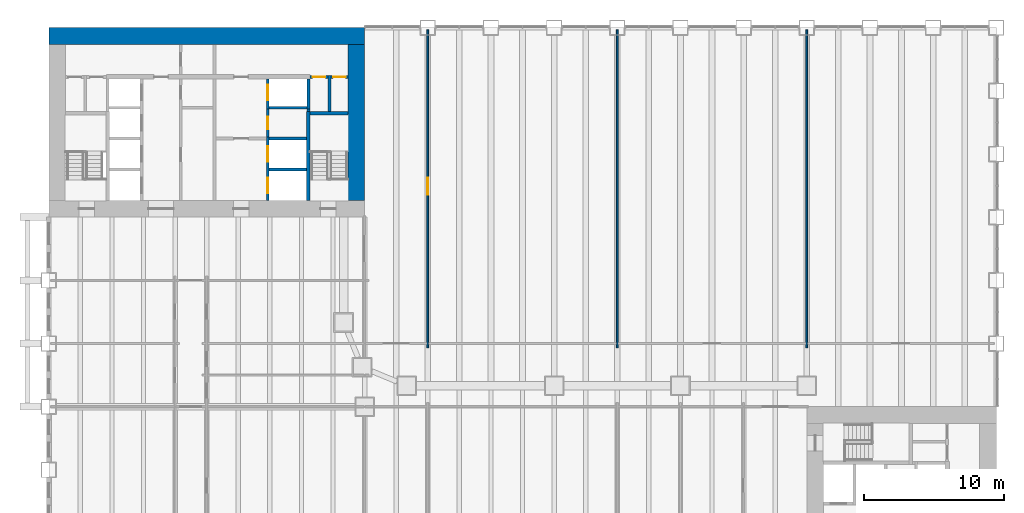
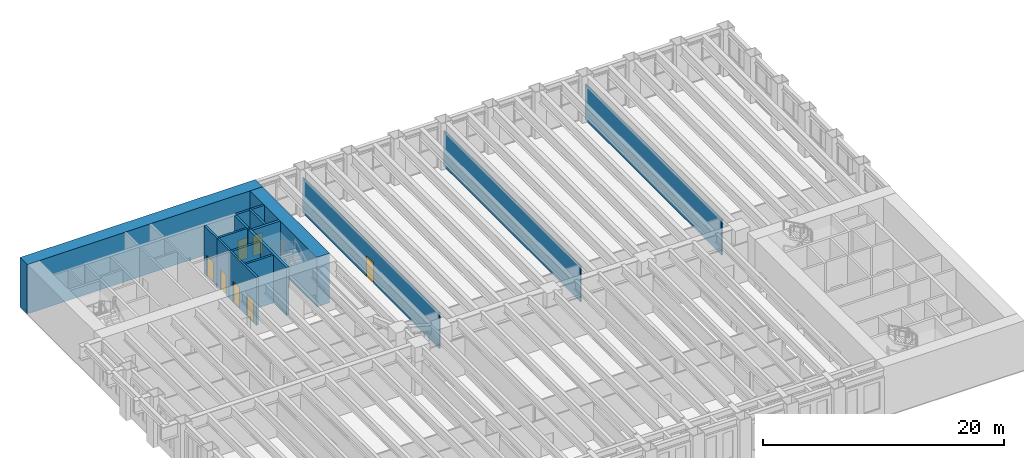
# One storey, part 16 of 21: 18 walls, 7 doors, 7 openings.
"""IFC4 building model written with IfcOpenShell, lengths in metres."""

import ifcopenshell
import ifcopenshell.guid

model = None  # the IFC model being written
_history = None  # IfcOwnerHistory: only IFC2X3 demands one
_inside = {}  # id of a spatial element -> (the spatial element, [elements in it])
_under = {}  # id of a project, library or spatial element -> (it, [spatial elements below it])
_declared = {}  # id of a project -> (the project, [libraries it declares])
_typed = {}  # id of a type object -> (the type object, [elements of that type])
_made_of = {}  # id of a material, layer set ... -> (it, [elements and type objects made of it])


def new_model(schema):
    """Start an empty IFC model of exactly this schema.

    Asked for "IFC4X3", IfcOpenShell would pick the latest addendum, in which some entities
    have other attributes; the version numbers below select the first issue.
    IFC2X3 requires an IfcOwnerHistory on every rooted entity: one is made here for all.
    """
    global model, _history
    if schema == "IFC4X3":
        model = ifcopenshell.file(schema_version=(4, 3, 0, 0))
    else:
        model = ifcopenshell.file(schema=schema)
    _inside.clear()
    _under.clear()
    _declared.clear()
    _typed.clear()
    _made_of.clear()
    _history = None
    if model.schema == "IFC2X3":
        org = make("IfcOrganization", Name="unknown")
        user = make(
            "IfcPersonAndOrganization",
            ThePerson=make("IfcPerson", FamilyName="unknown"),
            TheOrganization=org,
        )
        app = make(
            "IfcApplication",
            ApplicationDeveloper=org,
            Version="unknown",
            ApplicationFullName="unknown",
            ApplicationIdentifier="unknown",
        )
        _history = make(
            "IfcOwnerHistory",
            OwningUser=user,
            OwningApplication=app,
            ChangeAction="ADDED",
            CreationDate=0,
        )
    return model


def make(cls, **values):
    """One entity of the class cls with the attributes given. An attribute that is None is left unset."""
    return model.create_entity(
        cls, **{name: value for name, value in values.items() if value is not None}
    )


def rooted(cls, **values):
    """An entity with a GlobalId (a new one), such as an element, a storey or a relation."""
    return make(cls, GlobalId=ifcopenshell.guid.new(), OwnerHistory=_history, **values)


def si_unit(unit_type, name, prefix=None):
    """IfcSIUnit, for example si_unit("LENGTHUNIT", "METRE", prefix="MILLI")."""
    return make("IfcSIUnit", UnitType=unit_type, Prefix=prefix, Name=name)


def assignment(units):
    """IfcUnitAssignment: the units of a project."""
    return None if units is None else make("IfcUnitAssignment", Units=units)


def point(xyz):
    """IfcCartesianPoint."""
    return None if xyz is None else make("IfcCartesianPoint", Coordinates=xyz)


def direction(xyz):
    """IfcDirection."""
    return None if xyz is None else make("IfcDirection", DirectionRatios=xyz)


def frame(location, z_axis=None, x_axis=None):
    """IfcAxis2Placement3D, a coordinate frame: its origin and axes. An axis left out is left unset."""
    return make(
        "IfcAxis2Placement3D",
        Location=point(location),
        Axis=direction(z_axis),
        RefDirection=direction(x_axis),
    )


def frame_2d(location, x_axis=None):
    """IfcAxis2Placement2D, a coordinate frame in the plane: its origin and x axis."""
    return make(
        "IfcAxis2Placement2D", Location=point(location), RefDirection=direction(x_axis)
    )


def origin():
    """The frame at (0, 0, 0) with its axes left unset."""
    return frame((0.0, 0.0, 0.0))


def place(relative_to, where):
    """IfcLocalPlacement: puts the frame where relative to a parent placement (None: the world)."""
    return make(
        "IfcLocalPlacement", PlacementRelTo=relative_to, RelativePlacement=where
    )


def context(
    kind, dimensions, precision=None, world=None, true_north=None, identifier=None
):
    """IfcGeometricRepresentationContext, for example the 3D "Model" context."""
    return make(
        "IfcGeometricRepresentationContext",
        ContextIdentifier=identifier,
        ContextType=kind,
        CoordinateSpaceDimension=dimensions,
        Precision=precision,
        WorldCoordinateSystem=world,
        TrueNorth=true_north,
    )


def subcontext(parent, identifier, kind, view, scale=None):
    """IfcGeometricRepresentationSubContext, for example "Body" below "Model"."""
    return make(
        "IfcGeometricRepresentationSubContext",
        ContextIdentifier=identifier,
        ContextType=kind,
        ParentContext=parent,
        TargetScale=scale,
        TargetView=view,
    )


def project(units=None, contexts=None):
    """IfcProject with its units and contexts."""
    return rooted(
        "IfcProject",
        Name="project",
        RepresentationContexts=contexts,
        UnitsInContext=assignment(units),
    )


def spatial(cls, under=None, at=None, **own):
    """A site, building, storey or space (cls), placed at a placement, below another one or the project."""
    s = rooted(cls, ObjectPlacement=at, **own)
    if under is not None:
        _under.setdefault(under.id(), (under, []))[1].append(s)
    return s


def profile(cls, at=None, kind="AREA", **sizes):
    """A parametric profile (cls). Its sizes go by their IFC names, for example OverallWidth=200.0."""
    return make(cls, ProfileType=kind, Position=at, **sizes)


def rectangle(**sizes):
    """IfcRectangleProfileDef."""
    return profile("IfcRectangleProfileDef", **sizes)


def extrude(swept, where, along, depth):
    """IfcExtrudedAreaSolid: the profile swept, set in the frame where, extruded along a direction by depth."""
    return make(
        "IfcExtrudedAreaSolid",
        SweptArea=swept,
        Position=where,
        ExtrudedDirection=direction(along),
        Depth=depth,
    )


def shape(context_of_items, identifier, shape_type, items):
    """IfcShapeRepresentation: the items that make up one representation, for example the "Body"."""
    return make(
        "IfcShapeRepresentation",
        ContextOfItems=context_of_items,
        RepresentationIdentifier=identifier,
        RepresentationType=shape_type,
        Items=items,
    )


def material(Name=None, Category=None):
    """IfcMaterial."""
    return make("IfcMaterial", Name=Name, Category=Category)


def layer(
    of_material, thickness, ventilated=None, Name=None, Category=None, Priority=None
):
    """IfcMaterialLayer: one layer of a wall or slab, of a material (None: an air gap)."""
    return make(
        "IfcMaterialLayer",
        Material=of_material,
        LayerThickness=thickness,
        IsVentilated=ventilated,
        Name=Name,
        Category=Category,
        Priority=Priority,
    )


def layer_set(layers, Name=None):
    """IfcMaterialLayerSet."""
    return make("IfcMaterialLayerSet", MaterialLayers=layers, LayerSetName=Name)


def made_of(thing, what):
    """Note that an element or type object is made of a material, layer set ...; save() writes the relation."""
    if what is not None:
        _made_of.setdefault(what.id(), (what, []))[1].append(thing)
    return thing


def type_object(cls, material=None, **own):
    """A type object (cls), such as IfcWallType, which elements share."""
    return made_of(rooted(cls, **own), material)


def element(
    cls,
    number,
    at=None,
    inside=None,
    cuts=None,
    type_object=None,
    material=None,
    context=None,
    identifier="Body",
    shape_type=None,
    held_by="IfcProductDefinitionShape",
    body=None,
    shapes=None,
    **own,
):
    """One element of the class cls, such as IfcWall. Its Tag is "e" and its number.

    at: its placement. inside: the storey or other place that contains it. cuts: it is an
    opening in that element (IfcRelVoidsElement). A single representation is given by context,
    identifier, shape_type and body (its items); several are given by shapes. held_by: the class
    of the entity that holds the representations. save() writes the other relations.
    """
    e = rooted(cls, Tag="e%d" % number, ObjectPlacement=at, **own)
    if body is not None:
        shapes = [shape(context, identifier, shape_type, body)]
    if shapes is not None:
        e.Representation = make(held_by, Representations=shapes)
    if inside is not None:
        _inside.setdefault(inside.id(), (inside, []))[1].append(e)
    if cuts is not None:
        rooted(
            "IfcRelVoidsElement", RelatingBuildingElement=cuts, RelatedOpeningElement=e
        )
    if type_object is not None:
        _typed.setdefault(type_object.id(), (type_object, []))[1].append(e)
    return made_of(e, material)


def fill(opening, filler):
    """IfcRelFillsElement: the door or window that sits in an opening."""
    return rooted(
        "IfcRelFillsElement",
        RelatingOpeningElement=opening,
        RelatedBuildingElement=filler,
    )


def aggregate(whole, parts):
    """IfcRelAggregates: a whole, such as a stair, and the parts it consists of."""
    return rooted("IfcRelAggregates", RelatingObject=whole, RelatedObjects=parts)


def save(model, path):
    """Write the relations noted so far, then the file.

    IfcRelAggregates (storeys below a building ...), IfcRelContainedInSpatialStructure (elements
    in a storey), IfcRelDefinesByType, IfcRelAssociatesMaterial and IfcRelDeclares: one each for
    every whole, place, type object, material and project.
    """
    for whole, parts in _under.values():
        aggregate(whole, parts)
    for where, things in _inside.values():
        rooted(
            "IfcRelContainedInSpatialStructure",
            RelatedElements=things,
            RelatingStructure=where,
        )
    for kind, things in _typed.values():
        rooted("IfcRelDefinesByType", RelatedObjects=things, RelatingType=kind)
    for what, things in _made_of.values():
        rooted("IfcRelAssociatesMaterial", RelatedObjects=things, RelatingMaterial=what)
    for by, libraries in _declared.values():
        rooted("IfcRelDeclares", RelatingContext=by, RelatedDefinitions=libraries)
    model.write(path)


model = new_model("IFC4")

# Units and contexts
model_context = context("Model", 3, precision=1e-05, world=origin(), true_north=direction((0.0, 1.0)))
body_context = subcontext(model_context, "Body", "Model", "MODEL_VIEW")
ifc_project = project(units=[si_unit("LENGTHUNIT", "METRE"), si_unit("AREAUNIT", "SQUARE_METRE"), si_unit("VOLUMEUNIT", "CUBIC_METRE"), si_unit("PLANEANGLEUNIT", "RADIAN"), si_unit("MASSUNIT", "GRAM", prefix="KILO")], contexts=[model_context])

# Site, building, storey
site_placement = place(None, origin())
site = spatial("IfcSite", under=ifc_project, at=site_placement, CompositionType="ELEMENT")
building_placement = place(site_placement, origin())
building = spatial("IfcBuilding", under=site, at=building_placement, Name="Sennacour Bend Tower", CompositionType="ELEMENT")
storey_placement = place(building_placement, frame((0.0, 0.0, 24.0)))
storey = spatial("IfcBuildingStorey", under=building, at=storey_placement, Name="L04", CompositionType="ELEMENT", Elevation=24.0)

# Walls
ifc_material_1 = material(Name="Concrete C80/95", Category="concrete")
ifc_layer_1 = layer(ifc_material_1, 1.199951171875, Name="Concrete C80/95", Category="concrete")
ifc_layer_set_1 = layer_set([ifc_layer_1], Name="Concrete C80/95")
wall_type_1 = type_object("IfcWallType", Name="Core wall 1200 C80/95", PredefinedType="SHEAR", material=ifc_layer_set_1)
wall_1_placement = place(storey_placement, frame((0.0, 48.89990234375, -0.14990234375), z_axis=(0.0, 0.0, 1.0), x_axis=(1.0, 0.0, 0.0)))
element("IfcWall", 1, at=wall_1_placement, inside=storey, type_object=wall_type_1, Name="Core B wall L04 N", PredefinedType="SHEAR", context=body_context, shape_type="SweptSolid", body=[
    extrude(rectangle(XDim=22.5, YDim=1.199951171875, at=frame_2d((11.25, 0.0))), origin(), (0.0, 0.0, 1.0), 5.0),
])
wall_2_placement = place(storey_placement, frame((21.89990234375, 37.199951171875, -0.14990234375), z_axis=(0.0, 0.0, 1.0), x_axis=(0.0, 1.0, 0.0)))
element("IfcWall", 2, at=wall_2_placement, inside=storey, type_object=wall_type_1, Name="Core B wall L04 E", PredefinedType="SHEAR", context=body_context, shape_type="SweptSolid", body=[
    extrude(rectangle(XDim=11.10009765625, YDim=1.199951171875, at=frame_2d((5.550048828125, 0.0))), origin(), (0.0, 0.0, 1.0), 5.0),
])

# Wall, opening, door
ifc_material_2 = material(Name="Plasterboard partition on steel studs", Category="steel")
ifc_layer_2 = layer(ifc_material_2, 0.1201171875, Name="Plasterboard partition on steel studs", Category="steel")
ifc_layer_set_2 = layer_set([ifc_layer_2], Name="Plasterboard partition on steel studs")
wall_type_2 = type_object("IfcWallType", Name="Partition 120", PredefinedType="PARTITIONING", material=ifc_layer_set_2)
wall_3_placement = place(storey_placement, frame((27.0, 26.699951171875, 0.0), z_axis=(0.0, 0.0, 1.0), x_axis=(0.0, 1.0, 0.0)))
wall_3 = element("IfcWall", 3, at=wall_3_placement, inside=storey, type_object=wall_type_2, Name="P-L04-W024a", PredefinedType="PARTITIONING", context=body_context, shape_type="SweptSolid", body=[
    extrude(rectangle(XDim=22.650146484375, YDim=0.1201171875, at=frame_2d((11.3251953125, 0.0))), origin(), (0.0, 0.0, 1.0), 3.610107421875),
])
opening_1_placement = place(wall_3_placement, frame((10.89501953125, 0.0, 0.0)))
opening_1 = element("IfcOpeningElement", 4, at=opening_1_placement, cuts=wall_3, Name="Opening OD", PredefinedType="OPENING", context=body_context, shape_type="SweptSolid", body=[
    extrude(rectangle(XDim=1.199951171875, YDim=2.10009765625, at=frame_2d((0.60009765625, 1.050048828125))), frame((0.0, 0.070068359375, 0.0), z_axis=(0.0, -1.0, 0.0), x_axis=(1.0, 0.0, 0.0)), (0.0, 0.0, 1.0), 0.14013671875),
])
ifc_material_3 = material(Name="Timber", Category="wood")
door_type_1 = type_object("IfcDoorType", Name="DR-OFFICE-1200", OperationType="NOTDEFINED", PredefinedType="DOOR", material=ifc_material_3)
door_1_placement = place(opening_1_placement, origin())
door_1 = element("IfcDoor", 5, at=door_1_placement, inside=storey, type_object=door_type_1, Name="Door", OperationType="SINGLE_SWING_RIGHT", OverallHeight=2.10009765625, OverallWidth=1.199951171875, PredefinedType="DOOR", context=body_context, shape_type="SweptSolid", body=[
    extrude(rectangle(XDim=1.199951171875, YDim=2.10009765625, at=frame_2d((0.60009765625, 1.050048828125))), frame((0.0, 0.02490234375, 0.0), z_axis=(0.0, -1.0, 0.0), x_axis=(1.0, 0.0, 0.0)), (0.0, 0.0, 1.0), 0.050048828125),
])
fill(opening_1, door_1)

# Walls
for number, where, z_axis, x_axis, name in (
    (6, (40.5, 26.699951171875, 0.0), (0.0, 0.0, 1.0), (0.0, 1.0, 0.0), "P-L04-W027a"),
    (7, (54.0, 26.699951171875, 0.0), (0.0, 0.0, 1.0), (0.0, 1.0, 0.0), "P-L04-W030a"),
):
    element("IfcWall", number, at=place(storey_placement, frame(where, z_axis=z_axis, x_axis=x_axis)), inside=storey, type_object=wall_type_2, Name=name, PredefinedType="PARTITIONING", context=body_context, shape_type="SweptSolid", body=[
        extrude(rectangle(XDim=22.650146484375, YDim=0.1201171875, at=frame_2d((11.3251953125, 0.0))), origin(), (0.0, 0.0, 1.0), 3.610107421875),
    ])

# Wall, opening, door
ifc_material_4 = material(Name="Fire-rated plasterboard partition on steel studs", Category="steel")
ifc_layer_3 = layer(ifc_material_4, 0.199951171875, Name="Fire-rated plasterboard partition on steel studs", Category="steel")
ifc_layer_set_3 = layer_set([ifc_layer_3], Name="Fire-rated plasterboard partition on steel studs")
wall_type_3 = type_object("IfcWallType", Name="Rated partition 200", PredefinedType="PARTITIONING", material=ifc_layer_set_3)
wall_4_placement = place(storey_placement, frame((15.60009765625, 41.699951171875, 0.0), z_axis=(0.0, 0.0, 1.0), x_axis=(0.0, 1.0, 0.0)))
wall_4 = element("IfcWall", 8, at=wall_4_placement, inside=storey, type_object=wall_type_3, Name="P-L04-W016", PredefinedType="PARTITIONING", context=body_context, shape_type="SweptSolid", body=[
    extrude(rectangle(XDim=2.0, YDim=0.199951171875, at=frame_2d((1.0, 0.0))), origin(), (0.0, 0.0, 1.0), 4.85009765625),
])
opening_2_placement = place(wall_4_placement, frame((0.550048828125, 0.0, 0.0)))
opening_2 = element("IfcOpeningElement", 9, at=opening_2_placement, cuts=wall_4, Name="Opening SV", PredefinedType="OPENING", context=body_context, shape_type="SweptSolid", body=[
    extrude(rectangle(XDim=0.89990234375, YDim=2.10009765625, at=frame_2d((0.449951171875, 1.050048828125))), frame((0.0, 0.10986328125, 0.0), z_axis=(0.0, -1.0, 0.0), x_axis=(1.0, 0.0, 0.0)), (0.0, 0.0, 1.0), 0.219970703125),
])
ifc_material_5 = material(Name="Painted steel", Category="steel")
door_type_2 = type_object("IfcDoorType", Name="DR-SERVICE-900", OperationType="NOTDEFINED", PredefinedType="DOOR", material=ifc_material_5)
door_2_placement = place(opening_2_placement, origin())
door_2 = element("IfcDoor", 10, at=door_2_placement, inside=storey, type_object=door_type_2, Name="Door", OperationType="SINGLE_SWING_RIGHT", OverallHeight=2.10009765625, OverallWidth=0.89990234375, PredefinedType="DOOR", context=body_context, shape_type="SweptSolid", body=[
    extrude(rectangle(XDim=0.89990234375, YDim=2.10009765625, at=frame_2d((0.449951171875, 1.050048828125))), frame((0.0, 0.02490234375, 0.0), z_axis=(0.0, -1.0, 0.0), x_axis=(1.0, 0.0, 0.0)), (0.0, 0.0, 1.0), 0.050048828125),
])
fill(opening_2, door_2)

# Walls
wall_5_placement = place(storey_placement, frame((18.5, 43.52490234375, 0.0), z_axis=(0.0, 0.0, 1.0), x_axis=(0.0, 1.0, 0.0)))
element("IfcWall", 11, at=wall_5_placement, inside=storey, type_object=wall_type_3, Name="P-L04-W019", PredefinedType="PARTITIONING", context=body_context, shape_type="SweptSolid", body=[
    extrude(rectangle(XDim=0.175048828125, YDim=0.199951171875, at=frame_2d((0.08740234375, 0.0))), origin(), (0.0, 0.0, 1.0), 4.85009765625),
])
wall_6_placement = place(storey_placement, frame((20.0, 43.52490234375, 0.0), z_axis=(0.0, 0.0, 1.0), x_axis=(0.0, 1.0, 0.0)))
element("IfcWall", 12, at=wall_6_placement, inside=storey, type_object=wall_type_3, Name="P-L04-W021", PredefinedType="PARTITIONING", context=body_context, shape_type="SweptSolid", body=[
    extrude(rectangle(XDim=2.5751953125, YDim=0.199951171875, at=frame_2d((1.28759765625, 0.0))), origin(), (0.0, 0.0, 1.0), 4.85009765625),
])

# Wall, opening, door
wall_7_placement = place(storey_placement, frame((18.60009765625, 46.0, 0.0), z_axis=(0.0, 0.0, 1.0), x_axis=(1.0, 0.0, 0.0)))
wall_7 = element("IfcWall", 13, at=wall_7_placement, inside=storey, type_object=wall_type_3, Name="P-L04-W083a", PredefinedType="PARTITIONING", context=body_context, shape_type="SweptSolid", body=[
    extrude(rectangle(XDim=1.2998046875, YDim=0.199951171875, at=frame_2d((0.64990234375, 0.0))), origin(), (0.0, 0.0, 1.0), 4.85009765625),
])
opening_3_placement = place(wall_7_placement, frame((0.199951171875, 0.0, 0.0)))
opening_3 = element("IfcOpeningElement", 14, at=opening_3_placement, cuts=wall_7, Name="Opening SV", PredefinedType="OPENING", context=body_context, shape_type="SweptSolid", body=[
    extrude(rectangle(XDim=0.89990234375, YDim=2.10009765625, at=frame_2d((0.449951171875, 1.050048828125))), frame((0.0, 0.10986328125, 0.0), z_axis=(0.0, -1.0, 0.0), x_axis=(1.0, 0.0, 0.0)), (0.0, 0.0, 1.0), 0.219970703125),
])
door_3_placement = place(opening_3_placement, origin())
door_3 = element("IfcDoor", 15, at=door_3_placement, inside=storey, type_object=door_type_2, Name="Door", OperationType="SINGLE_SWING_LEFT", OverallHeight=2.10009765625, OverallWidth=0.89990234375, PredefinedType="DOOR", context=body_context, shape_type="SweptSolid", body=[
    extrude(rectangle(XDim=0.89990234375, YDim=2.10009765625, at=frame_2d((0.449951171875, 1.050048828125))), frame((0.0, 0.02490234375, 0.0), z_axis=(0.0, -1.0, 0.0), x_axis=(1.0, 0.0, 0.0)), (0.0, 0.0, 1.0), 0.050048828125),
])
fill(opening_3, door_3)

wall_8_placement = place(storey_placement, frame((20.10009765625, 46.0, 0.0), z_axis=(0.0, 0.0, 1.0), x_axis=(1.0, 0.0, 0.0)))
wall_8 = element("IfcWall", 16, at=wall_8_placement, inside=storey, type_object=wall_type_3, Name="P-L04-W083b", PredefinedType="PARTITIONING", context=body_context, shape_type="SweptSolid", body=[
    extrude(rectangle(XDim=1.199951171875, YDim=0.199951171875, at=frame_2d((0.60009765625, 0.0))), origin(), (0.0, 0.0, 1.0), 4.85009765625),
])
opening_4_placement = place(wall_8_placement, frame((0.14990234375, 0.0, 0.0)))
opening_4 = element("IfcOpeningElement", 17, at=opening_4_placement, cuts=wall_8, Name="Opening SV", PredefinedType="OPENING", context=body_context, shape_type="SweptSolid", body=[
    extrude(rectangle(XDim=0.89990234375, YDim=2.10009765625, at=frame_2d((0.449951171875, 1.050048828125))), frame((0.0, 0.10986328125, 0.0), z_axis=(0.0, -1.0, 0.0), x_axis=(1.0, 0.0, 0.0)), (0.0, 0.0, 1.0), 0.219970703125),
])
door_4_placement = place(opening_4_placement, origin())
door_4 = element("IfcDoor", 18, at=door_4_placement, inside=storey, type_object=door_type_2, Name="Door", OperationType="SINGLE_SWING_LEFT", OverallHeight=2.10009765625, OverallWidth=0.89990234375, PredefinedType="DOOR", context=body_context, shape_type="SweptSolid", body=[
    extrude(rectangle(XDim=0.89990234375, YDim=2.10009765625, at=frame_2d((0.449951171875, 1.050048828125))), frame((0.0, 0.02490234375, 0.0), z_axis=(0.0, -1.0, 0.0), x_axis=(1.0, 0.0, 0.0)), (0.0, 0.0, 1.0), 0.050048828125),
])
fill(opening_4, door_4)

# Wall, openings, doors
ifc_material_6 = material(Name="Concrete C50/60", Category="concrete")
ifc_layer_4 = layer(ifc_material_6, 0.199951171875, Name="Concrete C50/60", Category="concrete")
ifc_layer_set_4 = layer_set([ifc_layer_4], Name="Concrete C50/60")
wall_type_4 = type_object("IfcWallType", Name="Shaft wall 200", PredefinedType="SOLIDWALL", material=ifc_layer_set_4)
wall_9_placement = place(storey_placement, frame((15.60009765625, 37.199951171875, 0.0), z_axis=(0.0, 0.0, 1.0), x_axis=(0.0, 1.0, 0.0)))
wall_9 = element("IfcWall", 19, at=wall_9_placement, inside=storey, type_object=wall_type_4, Name="P-L04-W015", PredefinedType="SOLIDWALL", context=body_context, shape_type="SweptSolid", body=[
    extrude(rectangle(XDim=4.5, YDim=0.199951171875, at=frame_2d((2.25, 0.0))), origin(), (0.0, 0.0, 1.0), 4.85009765625),
])
opening_5_placement = place(wall_9_placement, frame((0.5, 0.0, 0.011962890625)))
opening_5 = element("IfcOpeningElement", 20, at=opening_5_placement, cuts=wall_9, Name="Opening FLD", PredefinedType="OPENING", context=body_context, shape_type="SweptSolid", body=[
    extrude(rectangle(XDim=1.10009765625, YDim=2.10009765625, at=frame_2d((0.550048828125, 1.050048828125))), frame((0.0, 0.10986328125, 0.0), z_axis=(0.0, -1.0, 0.0), x_axis=(1.0, 0.0, 0.0)), (0.0, 0.0, 1.0), 0.219970703125),
])
opening_6_placement = place(wall_9_placement, frame((2.75, 0.0, 0.011962890625)))
opening_6 = element("IfcOpeningElement", 21, at=opening_6_placement, cuts=wall_9, Name="Opening FLD", PredefinedType="OPENING", context=body_context, shape_type="SweptSolid", body=[
    extrude(rectangle(XDim=1.10009765625, YDim=2.10009765625, at=frame_2d((0.550048828125, 1.050048828125))), frame((0.0, 0.10986328125, 0.0), z_axis=(0.0, -1.0, 0.0), x_axis=(1.0, 0.0, 0.0)), (0.0, 0.0, 1.0), 0.219970703125),
])
ifc_material_7 = material(Name="Stainless steel", Category="steel")
door_type_3 = type_object("IfcDoorType", Name="DR-FF-LANDING-1100", OperationType="NOTDEFINED", PredefinedType="DOOR", material=ifc_material_7)
door_5_placement = place(opening_5_placement, origin())
door_5 = element("IfcDoor", 22, at=door_5_placement, inside=storey, type_object=door_type_3, Name="Fire service lift landing door FB1", OperationType="SLIDING_TO_LEFT", OverallHeight=2.10009765625, OverallWidth=1.10009765625, PredefinedType="DOOR", context=body_context, shape_type="SweptSolid", body=[
    extrude(rectangle(XDim=1.10009765625, YDim=2.10009765625, at=frame_2d((0.550048828125, 1.050048828125))), frame((0.0, 0.02490234375, 0.0), z_axis=(0.0, -1.0, 0.0), x_axis=(1.0, 0.0, 0.0)), (0.0, 0.0, 1.0), 0.050048828125),
])
fill(opening_5, door_5)
door_6_placement = place(opening_6_placement, origin())
door_6 = element("IfcDoor", 23, at=door_6_placement, inside=storey, type_object=door_type_3, Name="Fire service lift landing door FB2", OperationType="SLIDING_TO_RIGHT", OverallHeight=2.10009765625, OverallWidth=1.10009765625, PredefinedType="DOOR", context=body_context, shape_type="SweptSolid", body=[
    extrude(rectangle(XDim=1.10009765625, YDim=2.10009765625, at=frame_2d((0.550048828125, 1.050048828125))), frame((0.0, 0.02490234375, 0.0), z_axis=(0.0, -1.0, 0.0), x_axis=(1.0, 0.0, 0.0)), (0.0, 0.0, 1.0), 0.050048828125),
])
fill(opening_6, door_6)

# Wall, opening, door
wall_10_placement = place(storey_placement, frame((15.60009765625, 43.699951171875, 0.0), z_axis=(0.0, 0.0, 1.0), x_axis=(0.0, 1.0, 0.0)))
wall_10 = element("IfcWall", 24, at=wall_10_placement, inside=storey, type_object=wall_type_4, Name="P-L04-W017", PredefinedType="SOLIDWALL", context=body_context, shape_type="SweptSolid", body=[
    extrude(rectangle(XDim=2.150146484375, YDim=0.199951171875, at=frame_2d((1.0751953125, 0.0))), origin(), (0.0, 0.0, 1.0), 4.85009765625),
])
opening_7_placement = place(wall_10_placement, frame((0.625, 0.0, 0.011962890625)))
opening_7 = element("IfcOpeningElement", 25, at=opening_7_placement, cuts=wall_10, Name="Opening LD", PredefinedType="OPENING", context=body_context, shape_type="SweptSolid", body=[
    extrude(rectangle(XDim=1.10009765625, YDim=2.10009765625, at=frame_2d((0.550048828125, 1.050048828125))), frame((0.0, 0.10986328125, 0.0), z_axis=(0.0, -1.0, 0.0), x_axis=(1.0, 0.0, 0.0)), (0.0, 0.0, 1.0), 0.219970703125),
])
door_type_4 = type_object("IfcDoorType", Name="DR-LANDING-1100", OperationType="NOTDEFINED", PredefinedType="DOOR", material=ifc_material_7)
door_7_placement = place(opening_7_placement, origin())
door_7 = element("IfcDoor", 26, at=door_7_placement, inside=storey, type_object=door_type_4, Name="Lift landing door LB5", OperationType="SLIDING_TO_LEFT", OverallHeight=2.10009765625, OverallWidth=1.10009765625, PredefinedType="DOOR", context=body_context, shape_type="SweptSolid", body=[
    extrude(rectangle(XDim=1.10009765625, YDim=2.10009765625, at=frame_2d((0.550048828125, 1.050048828125))), frame((0.0, 0.02490234375, 0.0), z_axis=(0.0, -1.0, 0.0), x_axis=(1.0, 0.0, 0.0)), (0.0, 0.0, 1.0), 0.050048828125),
])
fill(opening_7, door_7)

# Walls
wall_11_placement = place(storey_placement, frame((18.5, 43.699951171875, 0.0), z_axis=(0.0, 0.0, 1.0), x_axis=(0.0, 1.0, 0.0)))
element("IfcWall", 27, at=wall_11_placement, inside=storey, type_object=wall_type_4, Name="P-L04-W020", PredefinedType="SOLIDWALL", context=body_context, shape_type="SweptSolid", body=[
    extrude(rectangle(XDim=2.150146484375, YDim=0.199951171875, at=frame_2d((1.0751953125, 0.0))), origin(), (0.0, 0.0, 1.0), 4.85009765625),
])
for number, where, z_axis, x_axis, name in (
    (28, (15.699951171875, 39.39990234375, 0.0), (0.0, 0.0, 1.0), (1.0, 0.0, 0.0), "P-L04-W072"),
    (29, (15.699951171875, 41.60009765625, 0.0), (0.0, 0.0, 1.0), (1.0, 0.0, 0.0), "P-L04-W075"),
):
    element("IfcWall", number, at=place(storey_placement, frame(where, z_axis=z_axis, x_axis=x_axis)), inside=storey, type_object=wall_type_4, Name=name, PredefinedType="SOLIDWALL", context=body_context, shape_type="SweptSolid", body=[
        extrude(rectangle(XDim=2.675048828125, YDim=0.199951171875, at=frame_2d((1.33740234375, 0.0))), origin(), (0.0, 0.0, 1.0), 4.85009765625),
    ])
wall_12_placement = place(storey_placement, frame((15.699951171875, 43.800048828125, 0.0), z_axis=(0.0, 0.0, 1.0), x_axis=(1.0, 0.0, 0.0)))
element("IfcWall", 30, at=wall_12_placement, inside=storey, type_object=wall_type_4, Name="P-L04-W080", PredefinedType="SOLIDWALL", context=body_context, shape_type="SweptSolid", body=[
    extrude(rectangle(XDim=2.699951171875, YDim=0.199951171875, at=frame_2d((1.35009765625, 0.0))), origin(), (0.0, 0.0, 1.0), 4.85009765625),
])
ifc_material_8 = material(Name="Concrete C60/75", Category="concrete")
ifc_layer_5 = layer(ifc_material_8, 0.25, Name="Concrete C60/75", Category="concrete")
ifc_layer_set_5 = layer_set([ifc_layer_5], Name="Concrete C60/75")
wall_type_5 = type_object("IfcWallType", Name="Stair wall 250", PredefinedType="SHEAR", material=ifc_layer_set_5)
wall_13_placement = place(storey_placement, frame((18.5, 37.199951171875, 0.0), z_axis=(0.0, 0.0, 1.0), x_axis=(0.0, 1.0, 0.0)))
element("IfcWall", 31, at=wall_13_placement, inside=storey, type_object=wall_type_5, Name="P-L04-W018", PredefinedType="SHEAR", context=body_context, shape_type="SweptSolid", body=[
    extrude(rectangle(XDim=6.324951171875, YDim=0.25, at=frame_2d((3.16259765625, 0.0))), origin(), (0.0, 0.0, 1.0), 4.85009765625),
])
wall_14_placement = place(storey_placement, frame((18.625, 43.39990234375, 0.0), z_axis=(0.0, 0.0, 1.0), x_axis=(1.0, 0.0, 0.0)))
element("IfcWall", 32, at=wall_14_placement, inside=storey, type_object=wall_type_5, Name="P-L04-W077", PredefinedType="SHEAR", context=body_context, shape_type="SweptSolid", body=[
    extrude(rectangle(XDim=2.675048828125, YDim=0.25, at=frame_2d((1.33740234375, 0.0))), origin(), (0.0, 0.0, 1.0), 4.85009765625),
])

save(model, "model.ifc")
